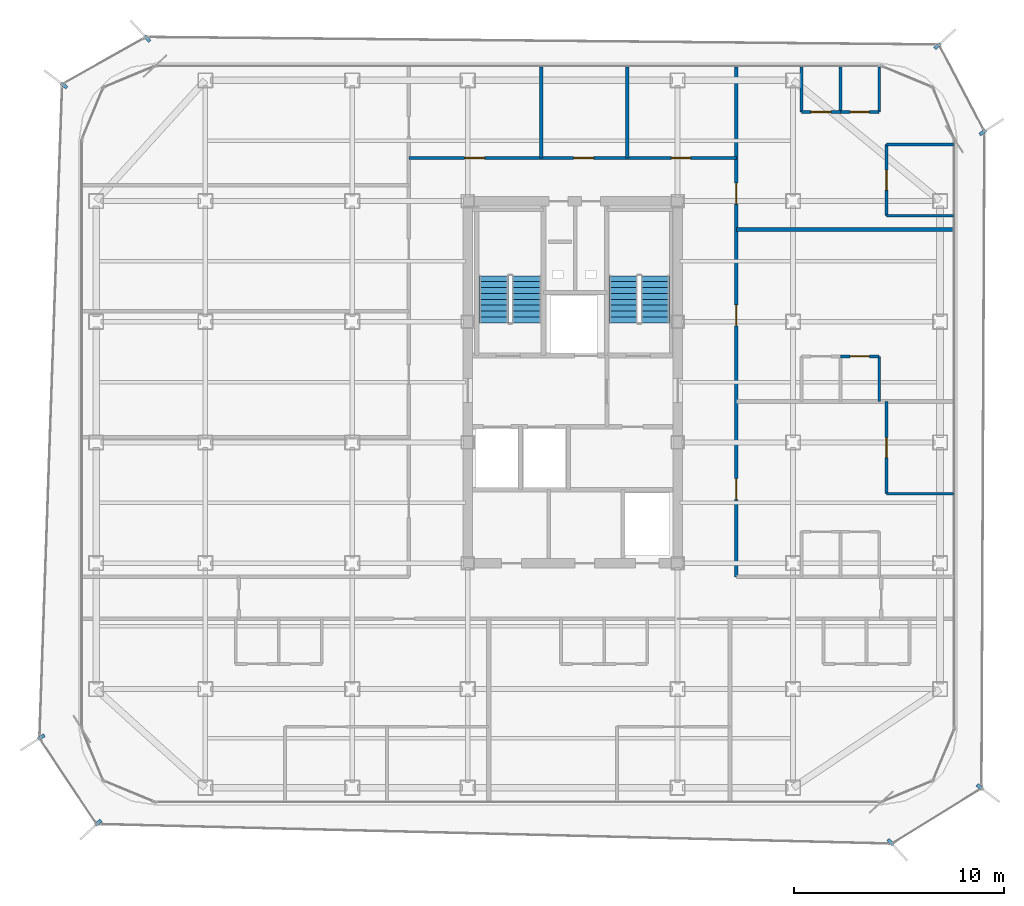
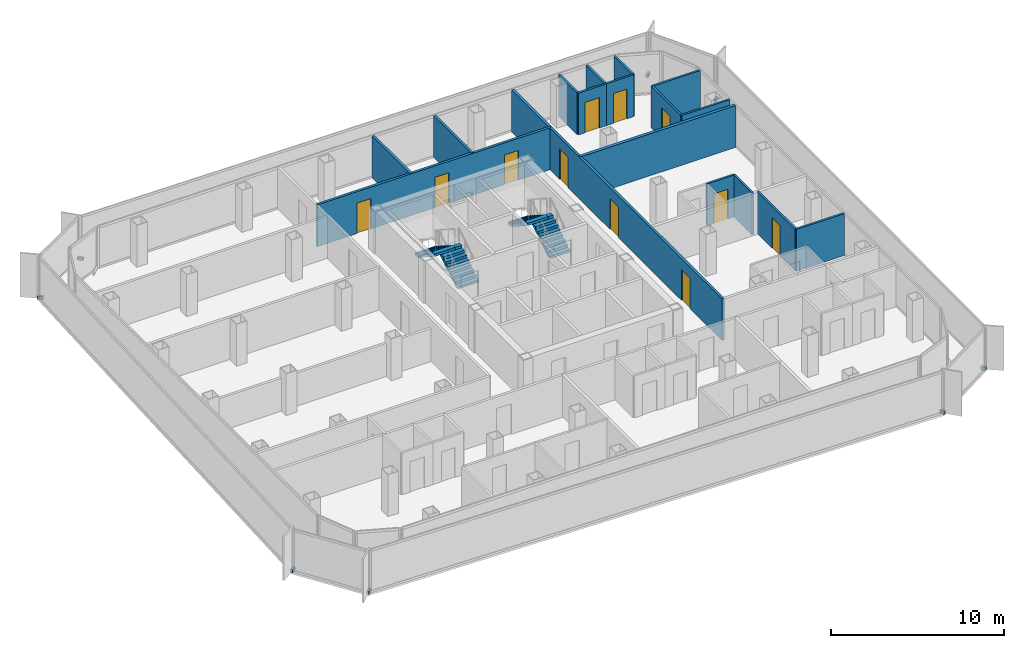
# One storey, part 12 of 15: 17 walls, 11 doors, 8 discrete accessories, 4 stair flights, 11 openings, 2 elements without a shape of their own.
"""IFC4 building model written with IfcOpenShell, lengths in metres."""

from ifc_helpers import new_model, si_unit, direction, frame, frame_2d, origin, origin_2d, place, context, subcontext, project, spatial, polyline, rectangle, outline, extrude, source, transform, mapped, material, layer, layer_set, type_object, element, fill, aggregate, save


model = new_model("IFC4")

# Units and contexts
model_context = context("Model", 3, precision=1e-05, world=origin(), true_north=direction((0.0, 1.0)))
body_context = subcontext(model_context, "Body", "Model", "MODEL_VIEW")
ifc_project = project(units=[si_unit("LENGTHUNIT", "METRE"), si_unit("AREAUNIT", "SQUARE_METRE"), si_unit("VOLUMEUNIT", "CUBIC_METRE"), si_unit("PLANEANGLEUNIT", "RADIAN"), si_unit("MASSUNIT", "GRAM", prefix="KILO")], contexts=[model_context])

# Site, building, storey
site_placement = place(None, origin())
site = spatial("IfcSite", under=ifc_project, at=site_placement, CompositionType="ELEMENT")
building_placement = place(site_placement, origin())
building = spatial("IfcBuilding", under=site, at=building_placement, Name="Kolveth Station Tower", CompositionType="ELEMENT")
storey_placement = place(building_placement, frame((0.0, 0.0, 199.60009765625)))
storey = spatial("IfcBuildingStorey", under=building, at=storey_placement, Name="L56", CompositionType="ELEMENT", Elevation=199.60009765625)

# Wall
ifc_material_1 = material(Name="Moisture-resistant gypsum partition")
ifc_layer_1 = layer(ifc_material_1, 0.135009765625)
ifc_layer_set_1 = layer_set([ifc_layer_1], Name="Moisture-resistant gypsum partition")
wall_type_1 = type_object("IfcWallType", Name="Wall_IW-135", PredefinedType="PARTITIONING", material=ifc_layer_set_1)
wall_1_placement = place(storey_placement, frame((38.449951171875, 14.80810546875, 0.0), z_axis=(0.0, 0.0, 1.0), x_axis=(1.0, 0.0, 0.0)))
element("IfcWall", 1, at=wall_1_placement, inside=storey, type_object=wall_type_1, Name="L56 Partition Wall WL-L56-E1-BDH0", PredefinedType="PARTITIONING", context=body_context, shape_type="SweptSolid", body=[
    extrude(rectangle(XDim=3.18994140625, YDim=0.135009765625, at=frame_2d((1.594970703125, 0.0))), origin(), (0.0, 0.0, 1.0), 2.949951171875),
])

# Wall, opening, door
wall_2_placement = place(storey_placement, frame((38.449951171875, 14.80810546875, 0.0), z_axis=(0.0, 0.0, 1.0), x_axis=(0.0, 1.0, 0.0)))
wall_2 = element("IfcWall", 2, at=wall_2_placement, inside=storey, type_object=wall_type_1, Name="L56 Partition Wall WL-L56-E1-BDV1", PredefinedType="PARTITIONING", context=body_context, shape_type="SweptSolid", body=[
    extrude(rectangle(XDim=4.391845703125, YDim=0.135009765625, at=frame_2d((2.19580078125, 0.0))), origin(), (0.0, 0.0, 1.0), 2.949951171875),
])
opening_1_placement = place(wall_2_placement, frame((1.716064453125, 0.0, 0.0)))
opening_1 = element("IfcOpeningElement", 3, at=opening_1_placement, cuts=wall_2, Name="Opening ID1", PredefinedType="OPENING", context=body_context, shape_type="SweptSolid", body=[
    extrude(rectangle(XDim=0.949951171875, YDim=2.14990234375, at=frame_2d((0.47509765625, 1.074951171875))), frame((0.0, 0.077392578125, 0.0), z_axis=(0.0, -1.0, 0.0), x_axis=(1.0, 0.0, 0.0)), (0.0, 0.0, 1.0), 0.155029296875),
])
ifc_material_2 = material(Name="Acoustic hardwood leaf and aluminium frame", Category="wood")
door_type_1 = type_object("IfcDoorType", Name="Door_ID1", OperationType="NOTDEFINED", PredefinedType="DOOR", material=ifc_material_2)
door_1_placement = place(opening_1_placement, frame((0.949951171875, 0.0, 0.0), z_axis=(0.0, 0.0, 1.0), x_axis=(-1.0, 0.0, 0.0)))
door_1 = element("IfcDoor", 4, at=door_1_placement, inside=storey, type_object=door_type_1, Name="Flat L56-E1 Bedroom 1 Door", OperationType="SINGLE_SWING_LEFT", OverallHeight=2.14990234375, OverallWidth=0.949951171875, PredefinedType="DOOR", context=body_context, shape_type="SweptSolid", body=[
    extrude(rectangle(XDim=0.949951171875, YDim=2.14990234375, at=frame_2d((0.47509765625, 1.074951171875))), frame((0.0, 0.02490234375, 0.0), z_axis=(0.0, -1.0, 0.0), x_axis=(1.0, 0.0, 0.0)), (0.0, 0.0, 1.0), 0.050048828125),
])
fill(opening_1, door_1)

wall_3_placement = place(storey_placement, frame((36.25, 21.35009765625, 0.0), z_axis=(0.0, 0.0, 1.0), x_axis=(1.0, 0.0, 0.0)))
wall_3 = element("IfcWall", 5, at=wall_3_placement, inside=storey, type_object=wall_type_1, Name="L56 Partition Wall WL-L56-E2-IBHB", PredefinedType="PARTITIONING", context=body_context, shape_type="SweptSolid", body=[
    extrude(rectangle(XDim=1.85009765625, YDim=0.135009765625, at=frame_2d((0.925048828125, 0.0))), origin(), (0.0, 0.0, 1.0), 2.949951171875),
])
opening_2_placement = place(wall_3_placement, frame((0.465087890625, 0.0, 0.0)))
opening_2 = element("IfcOpeningElement", 6, at=opening_2_placement, cuts=wall_3, Name="Opening ID2", PredefinedType="OPENING", context=body_context, shape_type="SweptSolid", body=[
    extrude(rectangle(XDim=0.919921875, YDim=2.10009765625, at=frame_2d((0.4599609375, 1.050048828125))), frame((0.0, 0.077392578125, 0.0), z_axis=(0.0, -1.0, 0.0), x_axis=(1.0, 0.0, 0.0)), (0.0, 0.0, 1.0), 0.155029296875),
])
ifc_material_3 = material(Name="Moisture-resistant hardwood leaf", Category="wood")
door_type_2 = type_object("IfcDoorType", Name="Door_ID2", OperationType="NOTDEFINED", PredefinedType="DOOR", material=ifc_material_3)
door_2_placement = place(opening_2_placement, origin())
door_2 = element("IfcDoor", 7, at=door_2_placement, inside=storey, type_object=door_type_2, Name="Flat L56-E2 Bathroom Door", OperationType="SINGLE_SWING_LEFT", OverallHeight=2.10009765625, OverallWidth=0.919921875, PredefinedType="DOOR", context=body_context, shape_type="SweptSolid", body=[
    extrude(rectangle(XDim=0.919921875, YDim=2.10009765625, at=frame_2d((0.4599609375, 1.050048828125))), frame((0.0, 0.02490234375, 0.0), z_axis=(0.0, -1.0, 0.0), x_axis=(1.0, 0.0, 0.0)), (0.0, 0.0, 1.0), 0.050048828125),
])
fill(opening_2, door_2)

# Wall
wall_4_placement = place(storey_placement, frame((38.10009765625, 19.199951171875, 0.0), z_axis=(0.0, 0.0, 1.0), x_axis=(0.0, 1.0, 0.0)))
element("IfcWall", 8, at=wall_4_placement, inside=storey, type_object=wall_type_1, Name="L56 Partition Wall WL-L56-E2-IBV2", PredefinedType="PARTITIONING", context=body_context, shape_type="SweptSolid", body=[
    extrude(rectangle(XDim=2.150146484375, YDim=0.135009765625, at=frame_2d((1.0751953125, 0.0))), origin(), (0.0, 0.0, 1.0), 2.949951171875),
])

# Wall, opening, door
wall_5_placement = place(storey_placement, frame((34.39990234375, 32.989990234375, 0.0), z_axis=(0.0, 0.0, 1.0), x_axis=(1.0, 0.0, 0.0)))
wall_5 = element("IfcWall", 9, at=wall_5_placement, inside=storey, type_object=wall_type_1, Name="L56 Partition Wall WL-L56-E3-IBHK", PredefinedType="PARTITIONING", context=body_context, shape_type="SweptSolid", body=[
    extrude(rectangle(XDim=1.85009765625, YDim=0.135009765625, at=frame_2d((0.925048828125, 0.0))), origin(), (0.0, 0.0, 1.0), 2.949951171875),
])
opening_3_placement = place(wall_5_placement, frame((0.445068359375, 0.0, 0.0)))
opening_3 = element("IfcOpeningElement", 10, at=opening_3_placement, cuts=wall_5, Name="Opening ID1", PredefinedType="OPENING", context=body_context, shape_type="SweptSolid", body=[
    extrude(rectangle(XDim=0.949951171875, YDim=2.14990234375, at=frame_2d((0.47509765625, 1.074951171875))), frame((0.0, 0.077392578125, 0.0), z_axis=(0.0, -1.0, 0.0), x_axis=(1.0, 0.0, 0.0)), (0.0, 0.0, 1.0), 0.155029296875),
])
door_3_placement = place(opening_3_placement, frame((0.949951171875, 0.0, 0.0), z_axis=(0.0, 0.0, 1.0), x_axis=(-1.0, 0.0, 0.0)))
door_3 = element("IfcDoor", 11, at=door_3_placement, inside=storey, type_object=door_type_1, Name="Flat L56-E3 Kitchen Door", OperationType="SINGLE_SWING_LEFT", OverallHeight=2.14990234375, OverallWidth=0.949951171875, PredefinedType="DOOR", context=body_context, shape_type="SweptSolid", body=[
    extrude(rectangle(XDim=0.949951171875, YDim=2.14990234375, at=frame_2d((0.47509765625, 1.074951171875))), frame((0.0, 0.02490234375, 0.0), z_axis=(0.0, -1.0, 0.0), x_axis=(1.0, 0.0, 0.0)), (0.0, 0.0, 1.0), 0.050048828125),
])
fill(opening_3, door_3)

wall_6_placement = place(storey_placement, frame((36.25, 32.989990234375, 0.0), z_axis=(0.0, 0.0, 1.0), x_axis=(1.0, 0.0, 0.0)))
wall_6 = element("IfcWall", 12, at=wall_6_placement, inside=storey, type_object=wall_type_1, Name="L56 Partition Wall WL-L56-E3-IBHB", PredefinedType="PARTITIONING", context=body_context, shape_type="SweptSolid", body=[
    extrude(rectangle(XDim=1.85009765625, YDim=0.135009765625, at=frame_2d((0.925048828125, 0.0))), origin(), (0.0, 0.0, 1.0), 2.949951171875),
])
opening_4_placement = place(wall_6_placement, frame((0.465087890625, 0.0, 0.0)))
opening_4 = element("IfcOpeningElement", 13, at=opening_4_placement, cuts=wall_6, Name="Opening ID2", PredefinedType="OPENING", context=body_context, shape_type="SweptSolid", body=[
    extrude(rectangle(XDim=0.919921875, YDim=2.10009765625, at=frame_2d((0.4599609375, 1.050048828125))), frame((0.0, 0.077392578125, 0.0), z_axis=(0.0, -1.0, 0.0), x_axis=(1.0, 0.0, 0.0)), (0.0, 0.0, 1.0), 0.155029296875),
])
door_4_placement = place(opening_4_placement, frame((0.919921875, 0.0, 0.0), z_axis=(0.0, 0.0, 1.0), x_axis=(-1.0, 0.0, 0.0)))
door_4 = element("IfcDoor", 14, at=door_4_placement, inside=storey, type_object=door_type_2, Name="Flat L56-E3 Bathroom Door", OperationType="SINGLE_SWING_RIGHT", OverallHeight=2.10009765625, OverallWidth=0.919921875, PredefinedType="DOOR", context=body_context, shape_type="SweptSolid", body=[
    extrude(rectangle(XDim=0.919921875, YDim=2.10009765625, at=frame_2d((0.4599609375, 1.050048828125))), frame((0.0, 0.02490234375, 0.0), z_axis=(0.0, -1.0, 0.0), x_axis=(1.0, 0.0, 0.0)), (0.0, 0.0, 1.0), 0.050048828125),
])
fill(opening_4, door_4)

# Walls
for number, where, z_axis, x_axis, name in (
    (15, (34.39990234375, 32.989990234375, 0.0), (0.0, 0.0, 1.0), (0.0, 1.0, 0.0), "L56 Partition Wall WL-L56-E3-IBV0"),
    (16, (36.25, 32.989990234375, 0.0), (0.0, 0.0, 1.0), (0.0, 1.0, 0.0), "L56 Partition Wall WL-L56-E3-IBV1"),
    (17, (38.10009765625, 32.989990234375, 0.0), (0.0, 0.0, 1.0), (0.0, 1.0, 0.0), "L56 Partition Wall WL-L56-E3-IBV2"),
):
    element("IfcWall", number, at=place(storey_placement, frame(where, z_axis=z_axis, x_axis=x_axis)), inside=storey, type_object=wall_type_1, Name=name, PredefinedType="PARTITIONING", context=body_context, shape_type="SweptSolid", body=[
        extrude(rectangle(XDim=2.14990234375, YDim=0.135009765625, at=frame_2d((1.074951171875, 0.0))), origin(), (0.0, 0.0, 1.0), 2.949951171875),
    ])
for number, where, z_axis, x_axis, name in (
    (18, (38.449951171875, 28.050048828125, 0.0), (0.0, 0.0, 1.0), (1.0, 0.0, 0.0), "L56 Partition Wall WL-L56-E3-BDH0"),
    (19, (38.449951171875, 31.449951171875, 0.0), (0.0, 0.0, 1.0), (1.0, 0.0, 0.0), "L56 Partition Wall WL-L56-E3-BDHE"),
):
    element("IfcWall", number, at=place(storey_placement, frame(where, z_axis=z_axis, x_axis=x_axis)), inside=storey, type_object=wall_type_1, Name=name, PredefinedType="PARTITIONING", context=body_context, shape_type="SweptSolid", body=[
        extrude(rectangle(XDim=3.18994140625, YDim=0.135009765625, at=frame_2d((1.594970703125, 0.0))), origin(), (0.0, 0.0, 1.0), 2.949951171875),
    ])

# Wall, opening, door
wall_7_placement = place(storey_placement, frame((38.449951171875, 28.050048828125, 0.0), z_axis=(0.0, 0.0, 1.0), x_axis=(0.0, 1.0, 0.0)))
wall_7 = element("IfcWall", 20, at=wall_7_placement, inside=storey, type_object=wall_type_1, Name="L56 Partition Wall WL-L56-E3-BDV1", PredefinedType="PARTITIONING", context=body_context, shape_type="SweptSolid", body=[
    extrude(rectangle(XDim=3.39990234375, YDim=0.135009765625, at=frame_2d((1.699951171875, 0.0))), origin(), (0.0, 0.0, 1.0), 2.949951171875),
])
opening_5_placement = place(wall_7_placement, frame((1.219970703125, 0.0, 0.0)))
opening_5 = element("IfcOpeningElement", 21, at=opening_5_placement, cuts=wall_7, Name="Opening ID1", PredefinedType="OPENING", context=body_context, shape_type="SweptSolid", body=[
    extrude(rectangle(XDim=0.949951171875, YDim=2.14990234375, at=frame_2d((0.47509765625, 1.074951171875))), frame((0.0, 0.077392578125, 0.0), z_axis=(0.0, -1.0, 0.0), x_axis=(1.0, 0.0, 0.0)), (0.0, 0.0, 1.0), 0.155029296875),
])
door_5_placement = place(opening_5_placement, frame((0.949951171875, 0.0, 0.0), z_axis=(0.0, 0.0, 1.0), x_axis=(-1.0, 0.0, 0.0)))
door_5 = element("IfcDoor", 22, at=door_5_placement, inside=storey, type_object=door_type_1, Name="Flat L56-E3 Bedroom 1 Door", OperationType="SINGLE_SWING_LEFT", OverallHeight=2.14990234375, OverallWidth=0.949951171875, PredefinedType="DOOR", context=body_context, shape_type="SweptSolid", body=[
    extrude(rectangle(XDim=0.949951171875, YDim=2.14990234375, at=frame_2d((0.47509765625, 1.074951171875))), frame((0.0, 0.02490234375, 0.0), z_axis=(0.0, -1.0, 0.0), x_axis=(1.0, 0.0, 0.0)), (0.0, 0.0, 1.0), 0.050048828125),
])
fill(opening_5, door_5)

# Wall, openings, doors
ifc_material_4 = material(Name="Acoustic double-stud gypsum partition")
ifc_layer_2 = layer(ifc_material_4, 0.1650390625)
ifc_layer_set_2 = layer_set([ifc_layer_2], Name="Acoustic double-stud gypsum partition")
wall_type_2 = type_object("IfcWallType", Name="Wall_IW-165", PredefinedType="PARTITIONING", material=ifc_layer_set_2)
wall_8_placement = place(storey_placement, frame((15.699951171875, 30.800048828125, 0.0), z_axis=(0.0, 0.0, 1.0), x_axis=(1.0, 0.0, 0.0)))
wall_8 = element("IfcWall", 23, at=wall_8_placement, inside=storey, type_object=wall_type_2, Name="L56 Partition Wall WL-L56-RN", PredefinedType="PARTITIONING", context=body_context, shape_type="SweptSolid", body=[
    extrude(rectangle(XDim=15.60009765625, YDim=0.1650390625, at=frame_2d((7.800048828125, 0.0))), origin(), (0.0, 0.0, 1.0), 2.949951171875),
])
opening_6_placement = place(wall_8_placement, frame((2.64990234375, 0.0, 0.0)))
opening_6 = element("IfcOpeningElement", 24, at=opening_6_placement, cuts=wall_8, Name="Opening ID1", PredefinedType="OPENING", context=body_context, shape_type="SweptSolid", body=[
    extrude(rectangle(XDim=0.949951171875, YDim=2.14990234375, at=frame_2d((0.47509765625, 1.074951171875))), frame((0.0, 0.092529296875, 0.0), z_axis=(0.0, -1.0, 0.0), x_axis=(1.0, 0.0, 0.0)), (0.0, 0.0, 1.0), 0.18505859375),
])
opening_7_placement = place(wall_8_placement, frame((7.85009765625, 0.0, 0.0)))
opening_7 = element("IfcOpeningElement", 25, at=opening_7_placement, cuts=wall_8, Name="Opening ID1", PredefinedType="OPENING", context=body_context, shape_type="SweptSolid", body=[
    extrude(rectangle(XDim=0.949951171875, YDim=2.14990234375, at=frame_2d((0.47509765625, 1.074951171875))), frame((0.0, 0.092529296875, 0.0), z_axis=(0.0, -1.0, 0.0), x_axis=(1.0, 0.0, 0.0)), (0.0, 0.0, 1.0), 0.18505859375),
])
opening_8_placement = place(wall_8_placement, frame((12.5, 0.0, 0.0)))
opening_8 = element("IfcOpeningElement", 26, at=opening_8_placement, cuts=wall_8, Name="Opening ID2", PredefinedType="OPENING", context=body_context, shape_type="SweptSolid", body=[
    extrude(rectangle(XDim=0.919921875, YDim=2.10009765625, at=frame_2d((0.4599609375, 1.050048828125))), frame((0.0, 0.092529296875, 0.0), z_axis=(0.0, -1.0, 0.0), x_axis=(1.0, 0.0, 0.0)), (0.0, 0.0, 1.0), 0.18505859375),
])
door_6_placement = place(opening_6_placement, origin())
door_6 = element("IfcDoor", 27, at=door_6_placement, inside=storey, type_object=door_type_1, Name="L56 Residents' Study Lounge Door", OperationType="SINGLE_SWING_LEFT", OverallHeight=2.14990234375, OverallWidth=0.949951171875, PredefinedType="DOOR", context=body_context, shape_type="SweptSolid", body=[
    extrude(rectangle(XDim=0.949951171875, YDim=2.14990234375, at=frame_2d((0.47509765625, 1.074951171875))), frame((0.0, 0.02490234375, 0.0), z_axis=(0.0, -1.0, 0.0), x_axis=(1.0, 0.0, 0.0)), (0.0, 0.0, 1.0), 0.050048828125),
])
fill(opening_6, door_6)
door_7_placement = place(opening_7_placement, origin())
door_7 = element("IfcDoor", 28, at=door_7_placement, inside=storey, type_object=door_type_1, Name="L56 Residents' Linen Store Door", OperationType="SINGLE_SWING_LEFT", OverallHeight=2.14990234375, OverallWidth=0.949951171875, PredefinedType="DOOR", context=body_context, shape_type="SweptSolid", body=[
    extrude(rectangle(XDim=0.949951171875, YDim=2.14990234375, at=frame_2d((0.47509765625, 1.074951171875))), frame((0.0, 0.02490234375, 0.0), z_axis=(0.0, -1.0, 0.0), x_axis=(1.0, 0.0, 0.0)), (0.0, 0.0, 1.0), 0.050048828125),
])
fill(opening_7, door_7)
door_8_placement = place(opening_8_placement, origin())
door_8 = element("IfcDoor", 29, at=door_8_placement, inside=storey, type_object=door_type_2, Name="L56 Accessible Residents' WC Door", OperationType="SINGLE_SWING_LEFT", OverallHeight=2.10009765625, OverallWidth=0.919921875, PredefinedType="DOOR", context=body_context, shape_type="SweptSolid", body=[
    extrude(rectangle(XDim=0.919921875, YDim=2.10009765625, at=frame_2d((0.4599609375, 1.050048828125))), frame((0.0, 0.02490234375, 0.0), z_axis=(0.0, -1.0, 0.0), x_axis=(1.0, 0.0, 0.0)), (0.0, 0.0, 1.0), 0.050048828125),
])
fill(opening_8, door_8)

wall_9_placement = place(storey_placement, frame((31.300048828125, 10.85009765625, 0.0), z_axis=(0.0, 0.0, 1.0), x_axis=(0.0, 1.0, 0.0)))
wall_9 = element("IfcWall", 30, at=wall_9_placement, inside=storey, type_object=wall_type_2, Name="L56 Partition Wall WL-L56-RE", PredefinedType="PARTITIONING", context=body_context, shape_type="SweptSolid", body=[
    extrude(rectangle(XDim=24.289794921875, YDim=0.1650390625, at=frame_2d((12.14501953125, 0.0))), origin(), (0.0, 0.0, 1.0), 2.949951171875),
])
opening_9_placement = place(wall_9_placement, frame((3.675048828125, 0.0, 0.0)))
opening_9 = element("IfcOpeningElement", 31, at=opening_9_placement, cuts=wall_9, Name="Opening FD3", PredefinedType="OPENING", context=body_context, shape_type="SweptSolid", body=[
    extrude(rectangle(XDim=1.0, YDim=2.14990234375, at=frame_2d((0.5, 1.074951171875))), frame((0.0, 0.092529296875, 0.0), z_axis=(0.0, -1.0, 0.0), x_axis=(1.0, 0.0, 0.0)), (0.0, 0.0, 1.0), 0.18505859375),
])
opening_10_placement = place(wall_9_placement, frame((11.949951171875, 0.0, 0.0)))
opening_10 = element("IfcOpeningElement", 32, at=opening_10_placement, cuts=wall_9, Name="Opening FD3", PredefinedType="OPENING", context=body_context, shape_type="SweptSolid", body=[
    extrude(rectangle(XDim=1.0, YDim=2.14990234375, at=frame_2d((0.5, 1.074951171875))), frame((0.0, 0.092529296875, 0.0), z_axis=(0.0, -1.0, 0.0), x_axis=(1.0, 0.0, 0.0)), (0.0, 0.0, 1.0), 0.18505859375),
])
opening_11_placement = place(wall_9_placement, frame((17.75, 0.0, 0.0)))
opening_11 = element("IfcOpeningElement", 33, at=opening_11_placement, cuts=wall_9, Name="Opening FD3", PredefinedType="OPENING", context=body_context, shape_type="SweptSolid", body=[
    extrude(rectangle(XDim=1.0, YDim=2.14990234375, at=frame_2d((0.5, 1.074951171875))), frame((0.0, 0.092529296875, 0.0), z_axis=(0.0, -1.0, 0.0), x_axis=(1.0, 0.0, 0.0)), (0.0, 0.0, 1.0), 0.18505859375),
])
ifc_material_5 = material(Name="Fire-rated hardwood leaf and aluminium frame", Category="wood")
door_type_3 = type_object("IfcDoorType", Name="Door_FD3", OperationType="NOTDEFINED", PredefinedType="DOOR", material=ifc_material_5)
door_9_placement = place(opening_9_placement, frame((1.0, 0.0, 0.0), z_axis=(0.0, 0.0, 1.0), x_axis=(-1.0, 0.0, 0.0)))
door_9 = element("IfcDoor", 34, at=door_9_placement, inside=storey, type_object=door_type_3, Name="Flat L56-E1 Entrance Door", OperationType="SINGLE_SWING_LEFT", OverallHeight=2.14990234375, OverallWidth=1.0, PredefinedType="DOOR", context=body_context, shape_type="SweptSolid", body=[
    extrude(rectangle(XDim=1.0, YDim=2.14990234375, at=frame_2d((0.5, 1.074951171875))), frame((0.0, 0.02490234375, 0.0), z_axis=(0.0, -1.0, 0.0), x_axis=(1.0, 0.0, 0.0)), (0.0, 0.0, 1.0), 0.050048828125),
])
fill(opening_9, door_9)
door_10_placement = place(opening_10_placement, frame((1.0, 0.0, 0.0), z_axis=(0.0, 0.0, 1.0), x_axis=(-1.0, 0.0, 0.0)))
door_10 = element("IfcDoor", 35, at=door_10_placement, inside=storey, type_object=door_type_3, Name="Flat L56-E2 Entrance Door", OperationType="SINGLE_SWING_RIGHT", OverallHeight=2.14990234375, OverallWidth=1.0, PredefinedType="DOOR", context=body_context, shape_type="SweptSolid", body=[
    extrude(rectangle(XDim=1.0, YDim=2.14990234375, at=frame_2d((0.5, 1.074951171875))), frame((0.0, 0.02490234375, 0.0), z_axis=(0.0, -1.0, 0.0), x_axis=(1.0, 0.0, 0.0)), (0.0, 0.0, 1.0), 0.050048828125),
])
fill(opening_10, door_10)
door_11_placement = place(opening_11_placement, frame((1.0, 0.0, 0.0), z_axis=(0.0, 0.0, 1.0), x_axis=(-1.0, 0.0, 0.0)))
door_11 = element("IfcDoor", 36, at=door_11_placement, inside=storey, type_object=door_type_3, Name="Flat L56-E3 Entrance Door", OperationType="SINGLE_SWING_RIGHT", OverallHeight=2.14990234375, OverallWidth=1.0, PredefinedType="DOOR", context=body_context, shape_type="SweptSolid", body=[
    extrude(rectangle(XDim=1.0, YDim=2.14990234375, at=frame_2d((0.5, 1.074951171875))), frame((0.0, 0.02490234375, 0.0), z_axis=(0.0, -1.0, 0.0), x_axis=(1.0, 0.0, 0.0)), (0.0, 0.0, 1.0), 0.050048828125),
])
fill(opening_11, door_11)

# Walls
for number, where, z_axis, x_axis, name in (
    (37, (22.0, 30.800048828125, 0.0), (0.0, 0.0, 1.0), (0.0, 1.0, 0.0), "L56 Partition Wall WL-L56-RN-P1"),
    (38, (26.10009765625, 30.800048828125, 0.0), (0.0, 0.0, 1.0), (0.0, 1.0, 0.0), "L56 Partition Wall WL-L56-RN-P2"),
):
    element("IfcWall", number, at=place(storey_placement, frame(where, z_axis=z_axis, x_axis=x_axis)), inside=storey, type_object=wall_type_2, Name=name, PredefinedType="PARTITIONING", context=body_context, shape_type="SweptSolid", body=[
        extrude(rectangle(XDim=4.33984375, YDim=0.1650390625, at=frame_2d((2.169921875, 0.0))), origin(), (0.0, 0.0, 1.0), 2.949951171875),
    ])
ifc_material_6 = material(Name="Acoustic fire-rated gypsum blockwork", Category="masonry")
ifc_layer_3 = layer(ifc_material_6, 0.199951171875)
ifc_layer_set_3 = layer_set([ifc_layer_3], Name="Acoustic fire-rated gypsum blockwork")
wall_type_3 = type_object("IfcWallType", Name="Wall_IW-200", PredefinedType="PARTITIONING", material=ifc_layer_set_3)
wall_10_placement = place(storey_placement, frame((31.300048828125, 27.39990234375, 0.0), z_axis=(0.0, 0.0, 1.0), x_axis=(1.0, 0.0, 0.0)))
element("IfcWall", 39, at=wall_10_placement, inside=storey, type_object=wall_type_3, Name="L56 Partition Wall WL-L56-REU-2", PredefinedType="PARTITIONING", context=body_context, shape_type="SweptSolid", body=[
    extrude(rectangle(XDim=10.33984375, YDim=0.199951171875, at=frame_2d((5.169921875, 0.0))), origin(), (0.0, 0.0, 1.0), 2.949951171875),
])

# Stair, stair flights
ifc_material_7 = material(Name="Concrete C40/50", Category="concrete")
stair_type_1 = type_object("IfcStairType", Name="Stair_ST1", PredefinedType="HALF_TURN_STAIR", material=ifc_material_7)
stair_1_placement = place(storey_placement, origin())
stair_1 = element("IfcStair", 40, at=stair_1_placement, inside=storey, type_object=stair_type_1, Name="L56 Tower Exit Stair ST1", PredefinedType="HALF_TURN_STAIR")
ifc_layer_4 = layer(ifc_material_7, 0.179931640625)
ifc_layer_set_4 = layer_set([ifc_layer_4], Name="Concrete C40/50")
stair_flight_type_1 = type_object("IfcStairFlightType", Name="Flight_ST1", PredefinedType="STRAIGHT", material=ifc_layer_set_4)
stair_flight_1_placement = place(storey_placement, frame((21.300048828125, 22.949951171875, 0.0), z_axis=(0.0, 0.0, 1.0), x_axis=(0.0, 1.0, 0.0)))
stair_flight_1 = element("IfcStairFlight", 41, at=stair_flight_1_placement, type_object=stair_flight_type_1, Name="ST1 flight 1", NumberOfRisers=9, NumberOfTreads=8, PredefinedType="STRAIGHT", RiserHeight=0.177777778, TreadLength=0.28, context=body_context, shape_type="SweptSolid", body=[
    extrude(outline(polyline([(0.0, 0.0), (0.0, 0.177734375), (0.280029296875, 0.177734375), (0.280029296875, 0.35546875), (0.56005859375, 0.35546875), (0.56005859375, 0.533447265625), (0.840087890625, 0.533447265625), (0.840087890625, 0.711181640625), (1.1201171875, 0.711181640625), (1.1201171875, 0.888916015625), (1.39990234375, 0.888916015625), (1.39990234375, 1.066650390625), (1.679931640625, 1.066650390625), (1.679931640625, 1.244384765625), (1.9599609375, 1.244384765625), (1.9599609375, 1.422119140625), (2.239990234375, 1.422119140625), (2.239990234375, 1.60009765625), (2.239990234375, 1.24462890625), (0.27978515625, 0.0), (0.0, 0.0)])), frame((0.0, 0.699951171875, 0.0), z_axis=(0.0, -1.0, 0.0), x_axis=(1.0, 0.0, 0.0)), (0.0, 0.0, 1.0), 1.39990234375),
])
stair_flight_2_placement = place(storey_placement, frame((19.739990234375, 25.18994140625, 1.599853515625), z_axis=(0.0, 0.0, 1.0), x_axis=(0.0, -1.0, 0.0)))
stair_flight_2 = element("IfcStairFlight", 42, at=stair_flight_2_placement, type_object=stair_flight_type_1, Name="ST1 flight 2", NumberOfRisers=9, NumberOfTreads=8, PredefinedType="STRAIGHT", RiserHeight=0.177777778, TreadLength=0.28, context=body_context, shape_type="SweptSolid", body=[
    extrude(outline(polyline([(0.0, 0.0), (0.0, 0.177734375), (0.280029296875, 0.177734375), (0.280029296875, 0.35546875), (0.56005859375, 0.35546875), (0.56005859375, 0.533447265625), (0.840087890625, 0.533447265625), (0.840087890625, 0.711181640625), (1.1201171875, 0.711181640625), (1.1201171875, 0.888916015625), (1.39990234375, 0.888916015625), (1.39990234375, 1.066650390625), (1.679931640625, 1.066650390625), (1.679931640625, 1.244384765625), (1.9599609375, 1.244384765625), (1.9599609375, 1.422119140625), (2.239990234375, 1.422119140625), (2.239990234375, 1.60009765625), (2.239990234375, 1.24462890625), (0.27978515625, 0.0), (0.0, 0.0)])), frame((0.0, 0.699951171875, 0.0), z_axis=(0.0, -1.0, 0.0), x_axis=(1.0, 0.0, 0.0)), (0.0, 0.0, 1.0), 1.39990234375),
])
aggregate(stair_1, [stair_flight_1, stair_flight_2])

stair_type_2 = type_object("IfcStairType", Name="Stair_ST2", PredefinedType="HALF_TURN_STAIR", material=ifc_material_7)
stair_2_placement = place(storey_placement, origin())
stair_2 = element("IfcStair", 43, at=stair_2_placement, inside=storey, type_object=stair_type_2, Name="L56 Tower Exit Stair ST2", PredefinedType="HALF_TURN_STAIR")
ifc_layer_5 = layer(ifc_material_7, 0.179931640625)
ifc_layer_set_5 = layer_set([ifc_layer_5], Name="Concrete C40/50")
stair_flight_type_2 = type_object("IfcStairFlightType", Name="Flight_ST2", PredefinedType="STRAIGHT", material=ifc_layer_set_5)
stair_flight_3_placement = place(storey_placement, frame((27.425048828125, 22.949951171875, 0.0), z_axis=(0.0, 0.0, 1.0), x_axis=(0.0, 1.0, 0.0)))
stair_flight_3 = element("IfcStairFlight", 44, at=stair_flight_3_placement, type_object=stair_flight_type_2, Name="ST2 flight 1", NumberOfRisers=9, NumberOfTreads=8, PredefinedType="STRAIGHT", RiserHeight=0.177777778, TreadLength=0.28, context=body_context, shape_type="SweptSolid", body=[
    extrude(outline(polyline([(0.0, 0.0), (0.0, 0.177734375), (0.280029296875, 0.177734375), (0.280029296875, 0.35546875), (0.56005859375, 0.35546875), (0.56005859375, 0.533447265625), (0.840087890625, 0.533447265625), (0.840087890625, 0.711181640625), (1.1201171875, 0.711181640625), (1.1201171875, 0.888916015625), (1.39990234375, 0.888916015625), (1.39990234375, 1.066650390625), (1.679931640625, 1.066650390625), (1.679931640625, 1.244384765625), (1.9599609375, 1.244384765625), (1.9599609375, 1.422119140625), (2.239990234375, 1.422119140625), (2.239990234375, 1.60009765625), (2.239990234375, 1.24462890625), (0.27978515625, 0.0), (0.0, 0.0)])), frame((0.0, 0.675048828125, 0.0), z_axis=(0.0, -1.0, 0.0), x_axis=(1.0, 0.0, 0.0)), (0.0, 0.0, 1.0), 1.35009765625),
])
stair_flight_4_placement = place(storey_placement, frame((25.9150390625, 25.18994140625, 1.599853515625), z_axis=(0.0, 0.0, 1.0), x_axis=(0.0, -1.0, 0.0)))
stair_flight_4 = element("IfcStairFlight", 45, at=stair_flight_4_placement, type_object=stair_flight_type_2, Name="ST2 flight 2", NumberOfRisers=9, NumberOfTreads=8, PredefinedType="STRAIGHT", RiserHeight=0.177777778, TreadLength=0.28, context=body_context, shape_type="SweptSolid", body=[
    extrude(outline(polyline([(0.0, 0.0), (0.0, 0.177734375), (0.280029296875, 0.177734375), (0.280029296875, 0.35546875), (0.56005859375, 0.35546875), (0.56005859375, 0.533447265625), (0.840087890625, 0.533447265625), (0.840087890625, 0.711181640625), (1.1201171875, 0.711181640625), (1.1201171875, 0.888916015625), (1.39990234375, 0.888916015625), (1.39990234375, 1.066650390625), (1.679931640625, 1.066650390625), (1.679931640625, 1.244384765625), (1.9599609375, 1.244384765625), (1.9599609375, 1.422119140625), (2.239990234375, 1.422119140625), (2.239990234375, 1.60009765625), (2.239990234375, 1.24462890625), (0.27978515625, 0.0), (0.0, 0.0)])), frame((0.0, 0.675048828125, 0.0), z_axis=(0.0, -1.0, 0.0), x_axis=(1.0, 0.0, 0.0)), (0.0, 0.0, 1.0), 1.35009765625),
])
aggregate(stair_2, [stair_flight_3, stair_flight_4])

# Discrete accessories
ifc_material_8 = material(Name="Steel S355", Category="steel")
discrete_accessory_type = type_object("IfcDiscreteAccessoryType", Name="Bracket_BK1", PredefinedType="BRACKET", material=ifc_material_8)
shared_shape = source(origin(), body_context, "Body", "SweptSolid", [
    extrude(rectangle(XDim=0.35009765625, YDim=0.159912109375, at=origin_2d()), origin(), (0.0, 0.0, 1.0), 0.219970703125),
])
for number, where, z_axis, x_axis, name in (
    (46, (38.637939453125, -1.791015625, -0.06005859375), (0.0, 0.0, 1.0), (0.674044576967, -0.738690671568, 0.0), "L56 Double-Skin Radial Tie Bracket 1"),
    (47, (42.89892578125, 0.8349609375, -0.06005859375), (0.0, 0.0, 1.0), (0.794520615517, -0.607237178966, 0.0), "L56 Double-Skin Radial Tie Bracket 2"),
    (48, (43.035888671875, 32.014892578125, -0.06005859375), (0.0, 0.0, 1.0), (0.838860631735, 0.544346250585, 0.0), "L56 Double-Skin Radial Tie Bracket 3"),
    (49, (40.8779296875, 36.132080078125, -0.06005859375), (0.0, 0.0, 1.0), (0.734085518544, 0.679057031084, 0.0), "L56 Double-Skin Radial Tie Bracket 4"),
    (50, (3.238037109375, 36.486083984375, -0.06005859375), (0.0, 0.0, 1.0), (-0.684038023042, 0.729446353773, 0.0), "L56 Double-Skin Radial Tie Bracket 5"),
    (51, (-0.73291015625, 34.25390625, -0.06005859375), (0.0, 0.0, 1.0), (-0.793247079295, 0.608899886015, 0.0), "L56 Double-Skin Radial Tie Bracket 6"),
    (52, (-1.81201171875, 3.212890625, -0.06005859375), (0.0, 0.0, 1.0), (-0.843953642103, -0.536416116444, 0.0), "L56 Double-Skin Radial Tie Bracket 7"),
    (53, (0.903076171875, -0.864013671875, -0.06005859375), (0.0, 0.0, 1.0), (-0.733848438205, -0.679313233894, 0.0), "L56 Double-Skin Radial Tie Bracket 8"),
):
    element("IfcDiscreteAccessory", number, at=place(storey_placement, frame(where, z_axis=z_axis, x_axis=x_axis)), inside=storey, type_object=discrete_accessory_type, Name=name, PredefinedType="BRACKET", context=body_context, shape_type="MappedRepresentation", body=[
        mapped(shared_shape, transform((0.0, 0.0, 0.0), x_axis=(1.0, 0.0, 0.0), y_axis=(0.0, 1.0, 0.0), z_axis=(0.0, 0.0, 1.0), scale=1.0)),
    ])

save(model, "model.ifc")
